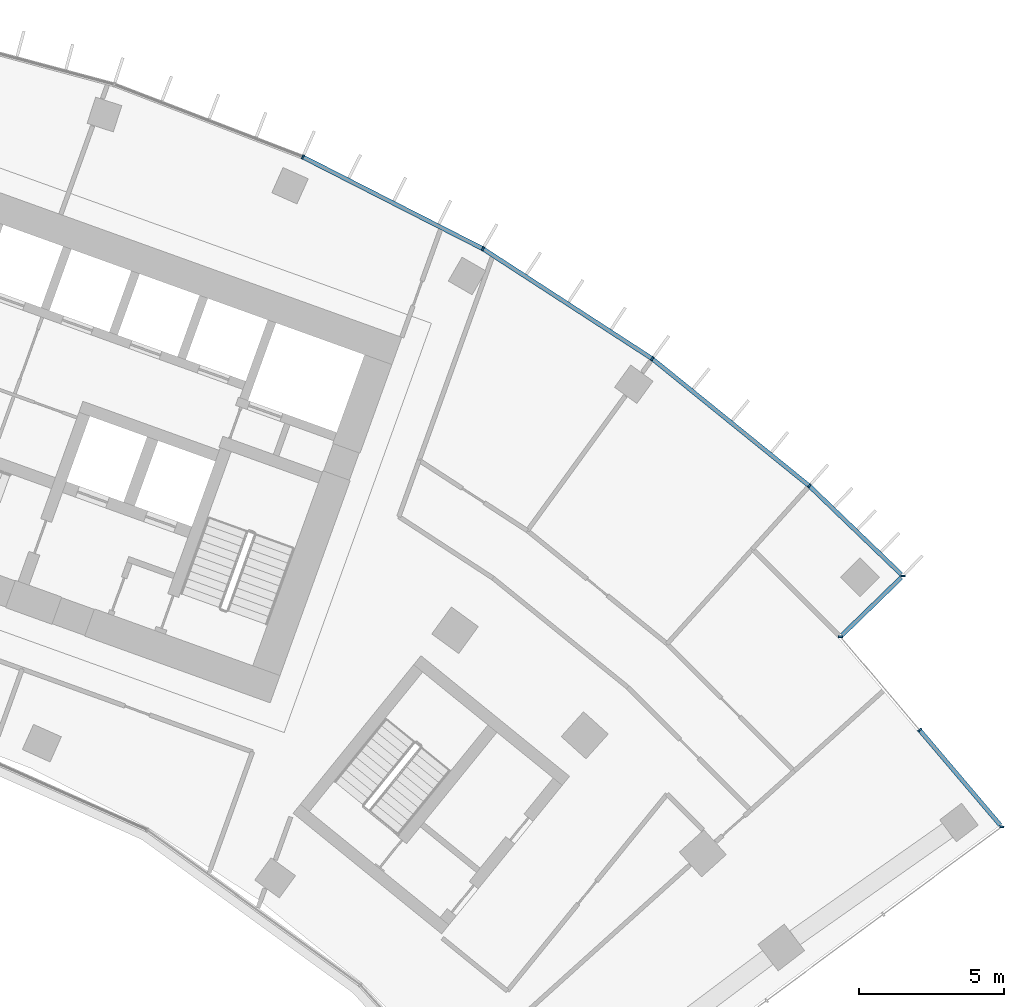
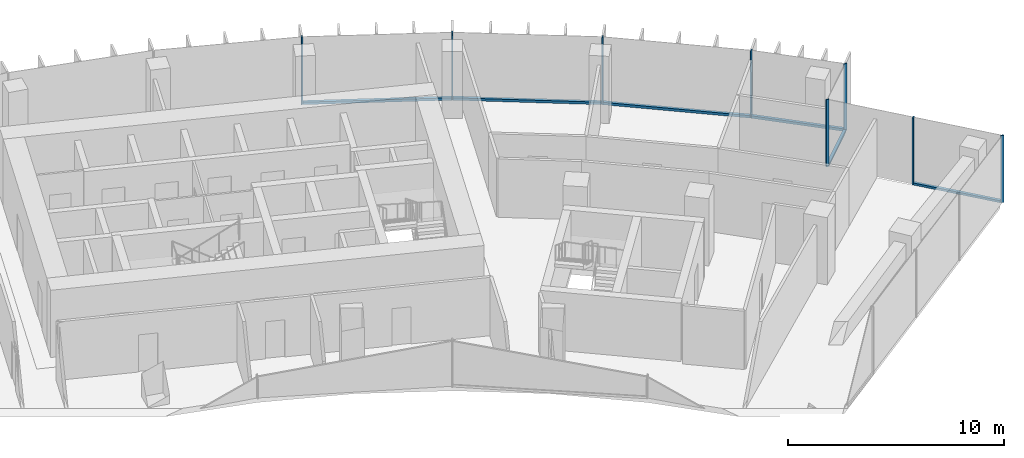
# One storey, part 9 of 19: 14 members, 3 elements without a shape of their own.
"""IFC4 building model written with IfcOpenShell, lengths in metres."""

import ifcopenshell
import ifcopenshell.guid

model = None  # the IFC model being written
_history = None  # IfcOwnerHistory: only IFC2X3 demands one
_inside = {}  # id of a spatial element -> (the spatial element, [elements in it])
_under = {}  # id of a project, library or spatial element -> (it, [spatial elements below it])
_declared = {}  # id of a project -> (the project, [libraries it declares])
_typed = {}  # id of a type object -> (the type object, [elements of that type])
_made_of = {}  # id of a material, layer set ... -> (it, [elements and type objects made of it])


def new_model(schema):
    """Start an empty IFC model of exactly this schema.

    Asked for "IFC4X3", IfcOpenShell would pick the latest addendum, in which some entities
    have other attributes; the version numbers below select the first issue.
    IFC2X3 requires an IfcOwnerHistory on every rooted entity: one is made here for all.
    """
    global model, _history
    if schema == "IFC4X3":
        model = ifcopenshell.file(schema_version=(4, 3, 0, 0))
    else:
        model = ifcopenshell.file(schema=schema)
    _inside.clear()
    _under.clear()
    _declared.clear()
    _typed.clear()
    _made_of.clear()
    _history = None
    if model.schema == "IFC2X3":
        org = make("IfcOrganization", Name="unknown")
        user = make(
            "IfcPersonAndOrganization",
            ThePerson=make("IfcPerson", FamilyName="unknown"),
            TheOrganization=org,
        )
        app = make(
            "IfcApplication",
            ApplicationDeveloper=org,
            Version="unknown",
            ApplicationFullName="unknown",
            ApplicationIdentifier="unknown",
        )
        _history = make(
            "IfcOwnerHistory",
            OwningUser=user,
            OwningApplication=app,
            ChangeAction="ADDED",
            CreationDate=0,
        )
    return model


def make(cls, **values):
    """One entity of the class cls with the attributes given. An attribute that is None is left unset."""
    return model.create_entity(
        cls, **{name: value for name, value in values.items() if value is not None}
    )


def rooted(cls, **values):
    """An entity with a GlobalId (a new one), such as an element, a storey or a relation."""
    return make(cls, GlobalId=ifcopenshell.guid.new(), OwnerHistory=_history, **values)


def si_unit(unit_type, name, prefix=None):
    """IfcSIUnit, for example si_unit("LENGTHUNIT", "METRE", prefix="MILLI")."""
    return make("IfcSIUnit", UnitType=unit_type, Prefix=prefix, Name=name)


def assignment(units):
    """IfcUnitAssignment: the units of a project."""
    return None if units is None else make("IfcUnitAssignment", Units=units)


def point(xyz):
    """IfcCartesianPoint."""
    return None if xyz is None else make("IfcCartesianPoint", Coordinates=xyz)


def direction(xyz):
    """IfcDirection."""
    return None if xyz is None else make("IfcDirection", DirectionRatios=xyz)


def frame(location, z_axis=None, x_axis=None):
    """IfcAxis2Placement3D, a coordinate frame: its origin and axes. An axis left out is left unset."""
    return make(
        "IfcAxis2Placement3D",
        Location=point(location),
        Axis=direction(z_axis),
        RefDirection=direction(x_axis),
    )


def frame_2d(location, x_axis=None):
    """IfcAxis2Placement2D, a coordinate frame in the plane: its origin and x axis."""
    return make(
        "IfcAxis2Placement2D", Location=point(location), RefDirection=direction(x_axis)
    )


def origin():
    """The frame at (0, 0, 0) with its axes left unset."""
    return frame((0.0, 0.0, 0.0))


def origin_2d():
    """The frame at (0, 0) in the plane with its x axis left unset."""
    return frame_2d((0.0, 0.0))


def place(relative_to, where):
    """IfcLocalPlacement: puts the frame where relative to a parent placement (None: the world)."""
    return make(
        "IfcLocalPlacement", PlacementRelTo=relative_to, RelativePlacement=where
    )


def context(
    kind, dimensions, precision=None, world=None, true_north=None, identifier=None
):
    """IfcGeometricRepresentationContext, for example the 3D "Model" context."""
    return make(
        "IfcGeometricRepresentationContext",
        ContextIdentifier=identifier,
        ContextType=kind,
        CoordinateSpaceDimension=dimensions,
        Precision=precision,
        WorldCoordinateSystem=world,
        TrueNorth=true_north,
    )


def subcontext(parent, identifier, kind, view, scale=None):
    """IfcGeometricRepresentationSubContext, for example "Body" below "Model"."""
    return make(
        "IfcGeometricRepresentationSubContext",
        ContextIdentifier=identifier,
        ContextType=kind,
        ParentContext=parent,
        TargetScale=scale,
        TargetView=view,
    )


def project(units=None, contexts=None):
    """IfcProject with its units and contexts."""
    return rooted(
        "IfcProject",
        Name="project",
        RepresentationContexts=contexts,
        UnitsInContext=assignment(units),
    )


def spatial(cls, under=None, at=None, **own):
    """A site, building, storey or space (cls), placed at a placement, below another one or the project."""
    s = rooted(cls, ObjectPlacement=at, **own)
    if under is not None:
        _under.setdefault(under.id(), (under, []))[1].append(s)
    return s


def profile(cls, at=None, kind="AREA", **sizes):
    """A parametric profile (cls). Its sizes go by their IFC names, for example OverallWidth=200.0."""
    return make(cls, ProfileType=kind, Position=at, **sizes)


def rectangle(**sizes):
    """IfcRectangleProfileDef."""
    return profile("IfcRectangleProfileDef", **sizes)


def extrude(swept, where, along, depth):
    """IfcExtrudedAreaSolid: the profile swept, set in the frame where, extruded along a direction by depth."""
    return make(
        "IfcExtrudedAreaSolid",
        SweptArea=swept,
        Position=where,
        ExtrudedDirection=direction(along),
        Depth=depth,
    )


def shape(context_of_items, identifier, shape_type, items):
    """IfcShapeRepresentation: the items that make up one representation, for example the "Body"."""
    return make(
        "IfcShapeRepresentation",
        ContextOfItems=context_of_items,
        RepresentationIdentifier=identifier,
        RepresentationType=shape_type,
        Items=items,
    )


def material(Name=None, Category=None):
    """IfcMaterial."""
    return make("IfcMaterial", Name=Name, Category=Category)


def layer(
    of_material, thickness, ventilated=None, Name=None, Category=None, Priority=None
):
    """IfcMaterialLayer: one layer of a wall or slab, of a material (None: an air gap)."""
    return make(
        "IfcMaterialLayer",
        Material=of_material,
        LayerThickness=thickness,
        IsVentilated=ventilated,
        Name=Name,
        Category=Category,
        Priority=Priority,
    )


def layer_set(layers, Name=None):
    """IfcMaterialLayerSet."""
    return make("IfcMaterialLayerSet", MaterialLayers=layers, LayerSetName=Name)


def material_profile(
    of_material, cross_section, Name=None, Category=None, Priority=None
):
    """IfcMaterialProfile: a cross section and its material."""
    return make(
        "IfcMaterialProfile",
        Name=Name,
        Material=of_material,
        Profile=cross_section,
        Priority=Priority,
        Category=Category,
    )


def profile_set(profiles, Name=None, composite=None):
    """IfcMaterialProfileSet."""
    return make(
        "IfcMaterialProfileSet",
        Name=Name,
        MaterialProfiles=profiles,
        CompositeProfile=composite,
    )


def made_of(thing, what):
    """Note that an element or type object is made of a material, layer set ...; save() writes the relation."""
    if what is not None:
        _made_of.setdefault(what.id(), (what, []))[1].append(thing)
    return thing


def type_object(cls, material=None, **own):
    """A type object (cls), such as IfcWallType, which elements share."""
    return made_of(rooted(cls, **own), material)


def element(
    cls,
    number,
    at=None,
    inside=None,
    cuts=None,
    type_object=None,
    material=None,
    context=None,
    identifier="Body",
    shape_type=None,
    held_by="IfcProductDefinitionShape",
    body=None,
    shapes=None,
    **own,
):
    """One element of the class cls, such as IfcWall. Its Tag is "e" and its number.

    at: its placement. inside: the storey or other place that contains it. cuts: it is an
    opening in that element (IfcRelVoidsElement). A single representation is given by context,
    identifier, shape_type and body (its items); several are given by shapes. held_by: the class
    of the entity that holds the representations. save() writes the other relations.
    """
    e = rooted(cls, Tag="e%d" % number, ObjectPlacement=at, **own)
    if body is not None:
        shapes = [shape(context, identifier, shape_type, body)]
    if shapes is not None:
        e.Representation = make(held_by, Representations=shapes)
    if inside is not None:
        _inside.setdefault(inside.id(), (inside, []))[1].append(e)
    if cuts is not None:
        rooted(
            "IfcRelVoidsElement", RelatingBuildingElement=cuts, RelatedOpeningElement=e
        )
    if type_object is not None:
        _typed.setdefault(type_object.id(), (type_object, []))[1].append(e)
    return made_of(e, material)


def aggregate(whole, parts):
    """IfcRelAggregates: a whole, such as a stair, and the parts it consists of."""
    return rooted("IfcRelAggregates", RelatingObject=whole, RelatedObjects=parts)


def save(model, path):
    """Write the relations noted so far, then the file.

    IfcRelAggregates (storeys below a building ...), IfcRelContainedInSpatialStructure (elements
    in a storey), IfcRelDefinesByType, IfcRelAssociatesMaterial and IfcRelDeclares: one each for
    every whole, place, type object, material and project.
    """
    for whole, parts in _under.values():
        aggregate(whole, parts)
    for where, things in _inside.values():
        rooted(
            "IfcRelContainedInSpatialStructure",
            RelatedElements=things,
            RelatingStructure=where,
        )
    for kind, things in _typed.values():
        rooted("IfcRelDefinesByType", RelatedObjects=things, RelatingType=kind)
    for what, things in _made_of.values():
        rooted("IfcRelAssociatesMaterial", RelatedObjects=things, RelatingMaterial=what)
    for by, libraries in _declared.values():
        rooted("IfcRelDeclares", RelatingContext=by, RelatedDefinitions=libraries)
    model.write(path)


model = new_model("IFC4")

# Units and contexts
model_context = context("Model", 3, precision=1e-05, world=origin(), true_north=direction((0.0, 1.0)))
body_context = subcontext(model_context, "Body", "Model", "MODEL_VIEW")
ifc_project = project(units=[si_unit("LENGTHUNIT", "METRE"), si_unit("AREAUNIT", "SQUARE_METRE"), si_unit("VOLUMEUNIT", "CUBIC_METRE"), si_unit("PLANEANGLEUNIT", "RADIAN"), si_unit("MASSUNIT", "GRAM", prefix="KILO")], contexts=[model_context])

# Site, building, storey
site_placement = place(None, origin())
site = spatial("IfcSite", under=ifc_project, at=site_placement, CompositionType="ELEMENT")
building_placement = place(site_placement, origin())
building = spatial("IfcBuilding", under=site, at=building_placement, Name="Stone Belt Terrace Tower", CompositionType="ELEMENT")
storey_placement = place(building_placement, frame((0.0, 0.0, 246.60009765625)))
storey = spatial("IfcBuildingStorey", under=building, at=storey_placement, Name="L60", CompositionType="ELEMENT", Elevation=246.60009765625)

# Curtain wall, members
ifc_material = material(Name="Aluminium 6063-T6 anodised frame", Category="aluminium")
ifc_layer_1 = layer(ifc_material, 0.14990234375)
ifc_layer_set_1 = layer_set([ifc_layer_1], Name="CW-A unitised convex-face curtain wall")
curtain_wall_type_1 = type_object("IfcCurtainWallType", Name="CW-A unitised convex-face curtain wall", PredefinedType="NOTDEFINED", material=ifc_layer_set_1)
curtain_wall_1_placement = place(storey_placement, origin())
curtain_wall_1 = element("IfcCurtainWall", 1, at=curtain_wall_1_placement, inside=storey, type_object=curtain_wall_type_1, Name="CW-A convex face L60", PredefinedType="NOTDEFINED")
ifc_material_profile_1 = material_profile(ifc_material, rectangle(XDim=0.14990234375, YDim=0.06005859375, at=origin_2d()), Name="Aluminium 6063-T6 60x150")
ifc_profile_set_1 = profile_set([ifc_material_profile_1], Name="Aluminium 6063-T6 anodised frame")
member_type_1 = type_object("IfcMemberType", Name="CW-A mullion 60 x 150", PredefinedType="MULLION", material=ifc_profile_set_1)
member_1_placement = place(storey_placement, frame((47.775390625, 46.369140625, 0.0), z_axis=(0.0, 0.0, 1.0), x_axis=(-0.999996264646, -0.002733257028, 0.0)))
member_1 = element("IfcMember", 2, at=member_1_placement, type_object=member_type_1, Name="CW-A mullion 1", PredefinedType="MULLION", context=body_context, shape_type="SweptSolid", body=[
    extrude(rectangle(XDim=0.14990234375, YDim=0.06005859375, at=origin_2d()), origin(), (0.0, 0.0, 1.0), 3.7998046875),
])
member_2_placement = place(storey_placement, frame((44.546875, 49.475341796875, 0.0), z_axis=(0.0, 0.0, 1.0), x_axis=(-0.661937409618, -0.749559114245, 0.0)))
member_2 = element("IfcMember", 3, at=member_2_placement, type_object=member_type_1, Name="CW-A mullion 2", PredefinedType="MULLION", context=body_context, shape_type="SweptSolid", body=[
    extrude(rectangle(XDim=0.14990234375, YDim=0.06005859375, at=origin_2d()), origin(), (0.0, 0.0, 1.0), 3.7998046875),
])
member_3_placement = place(storey_placement, frame((39.1318359375, 53.8603515625, 0.0), z_axis=(0.0, 0.0, 1.0), x_axis=(-0.587785252292, -0.809016994375, 0.0)))
member_3 = element("IfcMember", 4, at=member_3_placement, type_object=member_type_1, Name="CW-A mullion 3", PredefinedType="MULLION", context=body_context, shape_type="SweptSolid", body=[
    extrude(rectangle(XDim=0.14990234375, YDim=0.06005859375, at=origin_2d()), origin(), (0.0, 0.0, 1.0), 3.7998046875),
])
member_4_placement = place(storey_placement, frame((33.28759765625, 57.65576171875, 0.0), z_axis=(0.0, 0.0, 1.0), x_axis=(-0.5, -0.866025403784, 0.0)))
member_4 = element("IfcMember", 5, at=member_4_placement, type_object=member_type_1, Name="CW-A mullion 4", PredefinedType="MULLION", context=body_context, shape_type="SweptSolid", body=[
    extrude(rectangle(XDim=0.14990234375, YDim=0.06005859375, at=origin_2d()), origin(), (0.0, 0.0, 1.0), 3.7998046875),
])
member_5_placement = place(storey_placement, frame((27.07861328125, 60.8193359375, 0.0), z_axis=(0.0, 0.0, 1.0), x_axis=(-0.406736643076, -0.913545457643, 0.0)))
member_5 = element("IfcMember", 6, at=member_5_placement, type_object=member_type_1, Name="CW-A mullion 5", PredefinedType="MULLION", context=body_context, shape_type="SweptSolid", body=[
    extrude(rectangle(XDim=0.14990234375, YDim=0.06005859375, at=origin_2d()), origin(), (0.0, 0.0, 1.0), 3.7998046875),
])
ifc_material_profile_2 = material_profile(ifc_material, rectangle(XDim=0.14990234375, YDim=0.139892578125, at=origin_2d()), Name="Aluminium 6063-T6 150x140")
ifc_profile_set_2 = profile_set([ifc_material_profile_2], Name="Aluminium 6063-T6 anodised frame")
member_type_2 = type_object("IfcMemberType", Name="CW-A transom 140 x 150", PredefinedType="USERDEFINED", material=ifc_profile_set_2)
member_6_placement = place(storey_placement, frame((47.721435546875, 46.4208984375, 0.06982421875), z_axis=(-0.720600183576, 0.693350831419, 0.0), x_axis=(-0.693350831419, -0.720600183576, 0.0)))
member_6 = element("IfcMember", 7, at=member_6_placement, type_object=member_type_2, Name="CW-A transom 1.1", ObjectType="TRANSOM", PredefinedType="USERDEFINED", context=body_context, shape_type="SweptSolid", body=[
    extrude(rectangle(XDim=0.14990234375, YDim=0.139892578125, at=origin_2d()), origin(), (0.0, 0.0, 1.0), 4.372314453125),
])
member_7_placement = place(storey_placement, frame((44.52099609375, 49.496337890625, 0.06982421875), z_axis=(-0.777141048626, 0.629326457842, 0.0), x_axis=(-0.629326457842, -0.777141048626, 0.0)))
member_7 = element("IfcMember", 8, at=member_7_placement, type_object=member_type_2, Name="CW-A transom 2.1", ObjectType="TRANSOM", PredefinedType="USERDEFINED", context=body_context, shape_type="SweptSolid", body=[
    extrude(rectangle(XDim=0.14990234375, YDim=0.139892578125, at=origin_2d()), origin(), (0.0, 0.0, 1.0), 6.900634765625),
])
member_8_placement = place(storey_placement, frame((39.103515625, 53.87890625, 0.06982421875), z_axis=(-0.83868440714, 0.544617723931, 0.0), x_axis=(-0.544617723931, -0.83868440714, 0.0)))
member_8 = element("IfcMember", 9, at=member_8_placement, type_object=member_type_2, Name="CW-A transom 3.1", ObjectType="TRANSOM", PredefinedType="USERDEFINED", context=body_context, shape_type="SweptSolid", body=[
    extrude(rectangle(XDim=0.14990234375, YDim=0.139892578125, at=origin_2d()), origin(), (0.0, 0.0, 1.0), 6.90087890625),
])
member_9_placement = place(storey_placement, frame((33.25732421875, 57.671142578125, 0.06982421875), z_axis=(-0.891012226264, 0.453979308613, 0.0), x_axis=(-0.453979308613, -0.891012226264, 0.0)))
member_9 = element("IfcMember", 10, at=member_9_placement, type_object=member_type_2, Name="CW-A transom 4.1", ObjectType="TRANSOM", PredefinedType="USERDEFINED", context=body_context, shape_type="SweptSolid", body=[
    extrude(rectangle(XDim=0.14990234375, YDim=0.139892578125, at=origin_2d()), origin(), (0.0, 0.0, 1.0), 6.90087890625),
])
aggregate(curtain_wall_1, [member_1, member_2, member_3, member_4, member_5, member_6, member_7, member_8, member_9])

ifc_layer_2 = layer(ifc_material, 0.14990234375)
ifc_layer_set_2 = layer_set([ifc_layer_2], Name="CW-C stick curtain wall, horn ends and notches")
curtain_wall_type_2 = type_object("IfcCurtainWallType", Name="CW-C stick curtain wall, horn ends and notches", PredefinedType="NOTDEFINED", material=ifc_layer_set_2)
curtain_wall_2_placement = place(storey_placement, origin())
curtain_wall_2 = element("IfcCurtainWall", 11, at=curtain_wall_2_placement, inside=storey, type_object=curtain_wall_type_2, Name="CW-C notch face L60", PredefinedType="NOTDEFINED")
ifc_material_profile_3 = material_profile(ifc_material, rectangle(XDim=0.14990234375, YDim=0.06005859375, at=origin_2d()), Name="Aluminium 6063-T6 60x150")
ifc_profile_set_3 = profile_set([ifc_material_profile_3], Name="Aluminium 6063-T6 anodised frame")
member_type_3 = type_object("IfcMemberType", Name="CW-C mullion 60 x 150", PredefinedType="MULLION", material=ifc_profile_set_3)
member_10_placement = place(storey_placement, frame((51.18408203125, 37.718017578125, 0.0), z_axis=(0.0, 0.0, 1.0), x_axis=(-0.993358853918, 0.115057321987, 0.0)))
member_10 = element("IfcMember", 12, at=member_10_placement, type_object=member_type_3, Name="CW-C mullion 1", PredefinedType="MULLION", context=body_context, shape_type="SweptSolid", body=[
    extrude(rectangle(XDim=0.14990234375, YDim=0.06005859375, at=origin_2d()), origin(), (0.0, 0.0, 1.0), 3.7998046875),
])
member_11_placement = place(storey_placement, frame((48.35302734375, 41.052490234375, 0.0), z_axis=(0.0, 0.0, 1.0), x_axis=(-0.762310954743, -0.647210945735, 0.0)))
member_11 = element("IfcMember", 13, at=member_11_placement, type_object=member_type_3, Name="CW-C mullion 2", PredefinedType="MULLION", context=body_context, shape_type="SweptSolid", body=[
    extrude(rectangle(XDim=0.14990234375, YDim=0.06005859375, at=origin_2d()), origin(), (0.0, 0.0, 1.0), 3.7998046875),
])

# Curtain wall, member
curtain_wall_3_placement = place(storey_placement, origin())
curtain_wall_3 = element("IfcCurtainWall", 14, at=curtain_wall_3_placement, inside=storey, type_object=curtain_wall_type_2, Name="CW-C notch face L60", PredefinedType="NOTDEFINED")
member_12_placement = place(storey_placement, frame((45.61962890625, 44.27197265625, 0.0), z_axis=(0.0, 0.0, 1.0), x_axis=(-0.998865261612, 0.047625509398, 0.0)))
member_12 = element("IfcMember", 15, at=member_12_placement, type_object=member_type_3, Name="CW-C mullion 1", PredefinedType="MULLION", context=body_context, shape_type="SweptSolid", body=[
    extrude(rectangle(XDim=0.14990234375, YDim=0.06005859375, at=origin_2d()), origin(), (0.0, 0.0, 1.0), 3.7998046875),
])

# Member
ifc_material_profile_4 = material_profile(ifc_material, rectangle(XDim=0.14990234375, YDim=0.1201171875, at=origin_2d()), Name="Aluminium 6063-T6 150x120")
ifc_profile_set_4 = profile_set([ifc_material_profile_4], Name="Aluminium 6063-T6 anodised frame")
member_type_4 = type_object("IfcMemberType", Name="CW-C transom 120 x 150", PredefinedType="USERDEFINED", material=ifc_profile_set_4)
member_13_placement = place(storey_placement, frame((51.13525390625, 37.775390625, 0.059814453125), z_axis=(-0.647195078608, 0.762324425836, 0.0), x_axis=(-0.762324425836, -0.647195078608, 0.0)))
member_13 = element("IfcMember", 16, at=member_13_placement, type_object=member_type_4, Name="CW-C transom 1.1", ObjectType="TRANSOM", PredefinedType="USERDEFINED", context=body_context, shape_type="SweptSolid", body=[
    extrude(rectangle(XDim=0.14990234375, YDim=0.1201171875, at=origin_2d()), origin(), (0.0, 0.0, 1.0), 4.268798828125),
])

aggregate(curtain_wall_2, [member_10, member_11, member_13])

member_14_placement = place(storey_placement, frame((45.671875, 44.322998046875, 0.059814453125), z_axis=(0.716814728684, 0.697263683797, 0.0), x_axis=(-0.697263683797, 0.716814728684, 0.0)))
member_14 = element("IfcMember", 17, at=member_14_placement, type_object=member_type_4, Name="CW-C transom 1.1", ObjectType="TRANSOM", PredefinedType="USERDEFINED", context=body_context, shape_type="SweptSolid", body=[
    extrude(rectangle(XDim=0.14990234375, YDim=0.1201171875, at=origin_2d()), origin(), (0.0, 0.0, 1.0), 2.859619140625),
])

aggregate(curtain_wall_3, [member_12, member_14])

save(model, "model.ifc")
